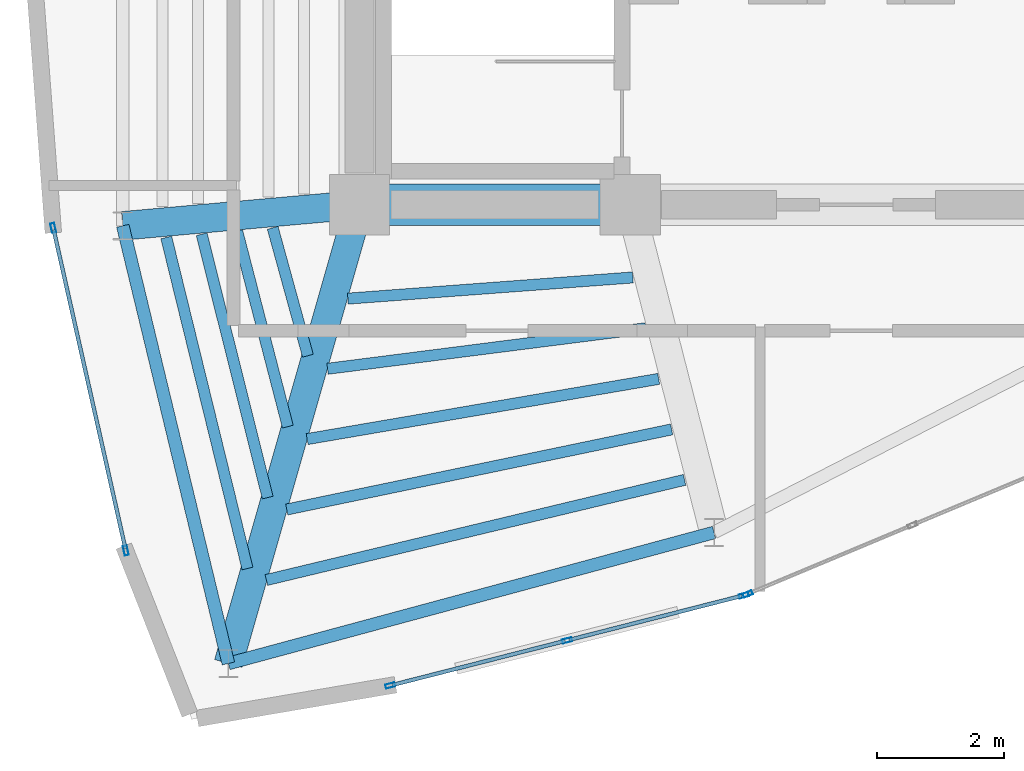
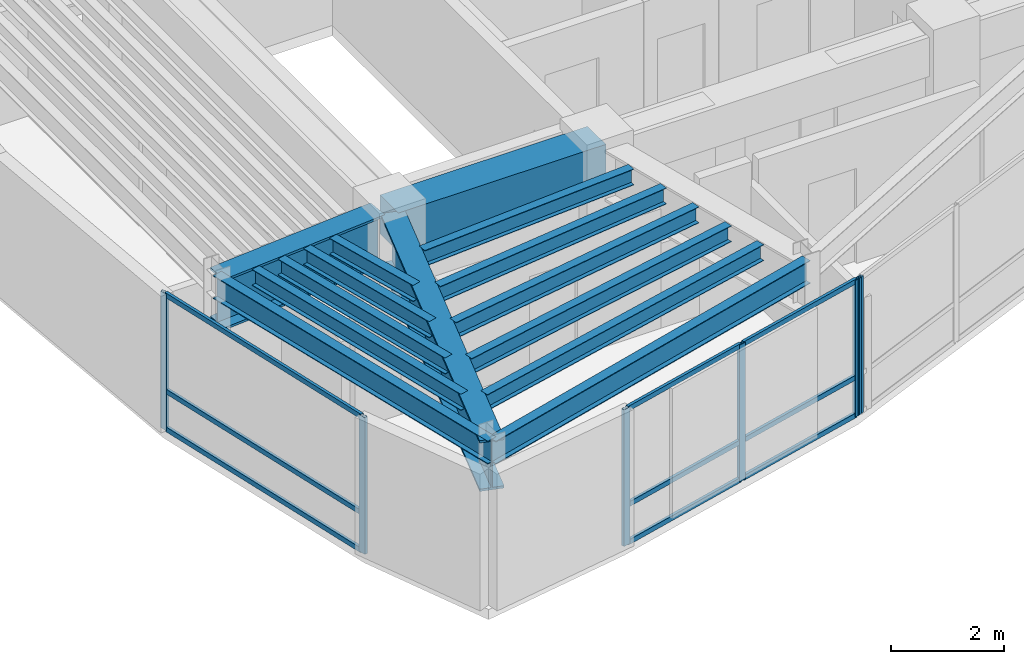
# One storey, part 2 of 13: 15 members, 14 beams, 3 elements without a shape of their own.
"""IFC4 building model written with IfcOpenShell, lengths in metres."""

from ifc_helpers import new_model, si_unit, direction, frame, origin, origin_2d, place, context, subcontext, project, spatial, rectangle, hollow_rectangle, i_section, extrude, material, layer, layer_set, material_profile, profile_set, type_object, element, aggregate, save


model = new_model("IFC4")

# Units and contexts
model_context = context("Model", 3, precision=1e-05, world=origin(), true_north=direction((0.0, 1.0)))
body_context = subcontext(model_context, "Body", "Model", "MODEL_VIEW")
ifc_project = project(units=[si_unit("LENGTHUNIT", "METRE"), si_unit("AREAUNIT", "SQUARE_METRE"), si_unit("VOLUMEUNIT", "CUBIC_METRE"), si_unit("PLANEANGLEUNIT", "RADIAN"), si_unit("MASSUNIT", "GRAM", prefix="KILO")], contexts=[model_context])

# Site, building, storey
site_placement = place(None, origin())
site = spatial("IfcSite", under=ifc_project, at=site_placement, CompositionType="ELEMENT")
building_placement = place(site_placement, origin())
building = spatial("IfcBuilding", under=site, at=building_placement, Name="Menara Vayukalpa", CompositionType="ELEMENT")
storey_placement = place(building_placement, frame((0.0, 0.0, 315.219970703125)))
storey = spatial("IfcBuildingStorey", under=building, at=storey_placement, Name="L81", CompositionType="ELEMENT", Elevation=315.219970703125)

# Beams
ifc_material_1 = material(Name="Concrete C60/75", Category="concrete")
ifc_material_profile_1 = material_profile(ifc_material_1, rectangle(XDim=0.64990234375, YDim=0.85009765625, at=origin_2d()), Name="RC 650x850")
ifc_profile_set_1 = profile_set([ifc_material_profile_1], Name="Concrete C60/75")
beam_type_1 = type_object("IfcBeamType", Name="BM-CB1", PredefinedType="BEAM", material=ifc_profile_set_1)
beam_1_placement = place(storey_placement, frame((17.800048828125, 17.199951171875, 2.534912109375), z_axis=(1.0, 0.0, 0.0), x_axis=(0.0, 1.0, 0.0)))
element("IfcBeam", 1, at=beam_1_placement, inside=storey, type_object=beam_type_1, Name="L81 Core Tie Beam CBR1", PredefinedType="BEAM", context=body_context, shape_type="SweptSolid", body=[
    extrude(rectangle(XDim=0.64990234375, YDim=0.85009765625, at=origin_2d()), origin(), (0.0, 0.0, 1.0), 4.25),
])
ifc_material_2 = material(Name="Steel S460", Category="steel")
ifc_material_profile_2 = material_profile(ifc_material_2, i_section(OverallWidth=0.449951171875, OverallDepth=1.10009765625, WebThickness=0.02490234375, FlangeThickness=0.050048828125, at=origin_2d()), Name="WG 1100x450x25x50")
ifc_profile_set_2 = profile_set([ifc_material_profile_2], Name="Steel S460")
beam_type_2 = type_object("IfcBeamType", Name="BM-MTG1", PredefinedType="BEAM", material=ifc_profile_set_2)
beam_2_placement = place(storey_placement, frame((17.551025390625, 17.177734375, 2.409912109375), z_axis=(-0.996018615253, -0.089145488221, 0.0), x_axis=(0.089145488221, -0.996018615253, 0.0)))
element("IfcBeam", 2, at=beam_2_placement, inside=storey, type_object=beam_type_2, Name="L81 Primary Radial Girder RG06", PredefinedType="BEAM", context=body_context, shape_type="SweptSolid", body=[
    extrude(i_section(OverallWidth=0.449951171875, OverallDepth=1.10009765625, WebThickness=0.02490234375, FlangeThickness=0.050048828125, at=origin_2d()), origin(), (0.0, 0.0, 1.0), 3.483642578125),
])
beam_3_placement = place(storey_placement, frame((17.731201171875, 16.959716796875, 2.409912109375), z_axis=(-0.274721127897, -0.961523947641, 0.0), x_axis=(0.961523947641, -0.274721127897, 0.0)))
element("IfcBeam", 3, at=beam_3_placement, inside=storey, type_object=beam_type_2, Name="L81 Primary Radial Girder RG07", PredefinedType="BEAM", context=body_context, shape_type="SweptSolid", body=[
    extrude(i_section(OverallWidth=0.449951171875, OverallDepth=1.10009765625, WebThickness=0.02490234375, FlangeThickness=0.050048828125, at=origin_2d()), origin(), (0.0, 0.0, 1.0), 7.246337890625),
])
ifc_material_3 = material(Name="Steel S355", Category="steel")
ifc_material_profile_3 = material_profile(ifc_material_3, i_section(OverallWidth=0.175048828125, OverallDepth=0.35009765625, WebThickness=0.007080078125, FlangeThickness=0.010986328125, at=origin_2d()), Name="WF 350x175x7x11")
ifc_profile_set_3 = profile_set([ifc_material_profile_3], Name="Steel S355")
beam_type_3 = type_object("IfcBeamType", Name="BM-SJ3", PredefinedType="JOIST", material=ifc_profile_set_3)
beam_4_placement = place(storey_placement, frame((16.436279296875, 16.8359375, 2.784912109375), z_axis=(0.265485960503, -0.964114725941, 0.0), x_axis=(0.964114725941, 0.265485960503, 0.0)))
element("IfcBeam", 4, at=beam_4_placement, inside=storey, type_object=beam_type_3, Name="L81 Secondary Floor Joist SJ06-2", PredefinedType="JOIST", context=body_context, shape_type="SweptSolid", body=[
    extrude(i_section(OverallWidth=0.175048828125, OverallDepth=0.35009765625, WebThickness=0.007080078125, FlangeThickness=0.010986328125, at=origin_2d()), origin(), (0.0, 0.0, 1.0), 2.083740234375),
])
beam_5_placement = place(storey_placement, frame((15.877685546875, 16.785400390625, 2.784912109375), z_axis=(0.250996862559, -0.967987900227, 0.0), x_axis=(0.967987900227, 0.250996862559, 0.0)))
element("IfcBeam", 5, at=beam_5_placement, inside=storey, type_object=beam_type_3, Name="L81 Secondary Floor Joist SJ06-3", PredefinedType="JOIST", context=body_context, shape_type="SweptSolid", body=[
    extrude(i_section(OverallWidth=0.175048828125, OverallDepth=0.35009765625, WebThickness=0.007080078125, FlangeThickness=0.010986328125, at=origin_2d()), origin(), (0.0, 0.0, 1.0), 3.173828125),
])
beam_6_placement = place(storey_placement, frame((15.32080078125, 16.735107421875, 2.784912109375), z_axis=(0.243209126808, -0.969973876265, 0.0), x_axis=(0.969973876265, 0.243209126808, 0.0)))
element("IfcBeam", 6, at=beam_6_placement, inside=storey, type_object=beam_type_3, Name="L81 Secondary Floor Joist SJ06-4", PredefinedType="JOIST", context=body_context, shape_type="SweptSolid", body=[
    extrude(i_section(OverallWidth=0.175048828125, OverallDepth=0.35009765625, WebThickness=0.007080078125, FlangeThickness=0.010986328125, at=origin_2d()), origin(), (0.0, 0.0, 1.0), 4.26416015625),
])
beam_7_placement = place(storey_placement, frame((14.764404296875, 16.68505859375, 2.784912109375), z_axis=(0.238306723875, -0.971189942985, 0.0), x_axis=(0.971189942985, 0.238306723875, 0.0)))
element("IfcBeam", 7, at=beam_7_placement, inside=storey, type_object=beam_type_3, Name="L81 Secondary Floor Joist SJ06-5", PredefinedType="JOIST", context=body_context, shape_type="SweptSolid", body=[
    extrude(i_section(OverallWidth=0.175048828125, OverallDepth=0.35009765625, WebThickness=0.007080078125, FlangeThickness=0.010986328125, at=origin_2d()), origin(), (0.0, 0.0, 1.0), 5.35498046875),
])
beam_8_placement = place(storey_placement, frame((17.6171875, 15.7236328125, 2.784912109375), z_axis=(0.997249175421, 0.074122075804, 0.0), x_axis=(-0.074122075804, 0.997249175421, 0.0)))
element("IfcBeam", 8, at=beam_8_placement, inside=storey, type_object=beam_type_3, Name="L81 Secondary Floor Joist SJ07-1", PredefinedType="JOIST", context=body_context, shape_type="SweptSolid", body=[
    extrude(i_section(OverallWidth=0.175048828125, OverallDepth=0.35009765625, WebThickness=0.007080078125, FlangeThickness=0.010986328125, at=origin_2d()), origin(), (0.0, 0.0, 1.0), 4.489501953125),
])
beam_9_placement = place(storey_placement, frame((17.297607421875, 14.62158203125, 2.784912109375), z_axis=(0.991987539287, 0.126335750682, 0.0), x_axis=(-0.126335750682, 0.991987539287, 0.0)))
element("IfcBeam", 9, at=beam_9_placement, inside=storey, type_object=beam_type_3, Name="L81 Secondary Floor Joist SJ07-2", PredefinedType="JOIST", context=body_context, shape_type="SweptSolid", body=[
    extrude(i_section(OverallWidth=0.175048828125, OverallDepth=0.35009765625, WebThickness=0.007080078125, FlangeThickness=0.010986328125, at=origin_2d()), origin(), (0.0, 0.0, 1.0), 5.039794921875),
])
beam_10_placement = place(storey_placement, frame((16.977294921875, 13.517333984375, 2.784912109375), z_axis=(0.985657685594, 0.168757005274, 0.0), x_axis=(-0.168757005274, 0.985657685594, 0.0)))
element("IfcBeam", 10, at=beam_10_placement, inside=storey, type_object=beam_type_3, Name="L81 Secondary Floor Joist SJ07-3", PredefinedType="JOIST", context=body_context, shape_type="SweptSolid", body=[
    extrude(i_section(OverallWidth=0.175048828125, OverallDepth=0.35009765625, WebThickness=0.007080078125, FlangeThickness=0.010986328125, at=origin_2d()), origin(), (0.0, 0.0, 1.0), 5.60302734375),
])
beam_11_placement = place(storey_placement, frame((16.6572265625, 12.4111328125, 2.784912109375), z_axis=(0.979027428924, 0.203728479637, 0.0), x_axis=(-0.203728479637, 0.979027428924, 0.0)))
element("IfcBeam", 11, at=beam_11_placement, inside=storey, type_object=beam_type_3, Name="L81 Secondary Floor Joist SJ07-4", PredefinedType="JOIST", context=body_context, shape_type="SweptSolid", body=[
    extrude(i_section(OverallWidth=0.175048828125, OverallDepth=0.35009765625, WebThickness=0.007080078125, FlangeThickness=0.010986328125, at=origin_2d()), origin(), (0.0, 0.0, 1.0), 6.175048828125),
])
beam_12_placement = place(storey_placement, frame((16.337158203125, 11.303466796875, 2.784912109375), z_axis=(0.972497430752, 0.232913604541, 0.0), x_axis=(-0.232913604541, 0.972497430752, 0.0)))
element("IfcBeam", 12, at=beam_12_placement, inside=storey, type_object=beam_type_3, Name="L81 Secondary Floor Joist SJ07-5", PredefinedType="JOIST", context=body_context, shape_type="SweptSolid", body=[
    extrude(i_section(OverallWidth=0.175048828125, OverallDepth=0.35009765625, WebThickness=0.007080078125, FlangeThickness=0.010986328125, at=origin_2d()), origin(), (0.0, 0.0, 1.0), 6.754638671875),
])
ifc_material_4 = material(Name="Steel S355", Category="steel")
ifc_material_profile_4 = material_profile(ifc_material_4, i_section(OverallWidth=0.199951171875, OverallDepth=0.5, WebThickness=0.010009765625, FlangeThickness=0.01611328125, at=origin_2d()), Name="WF 500x200x10x16")
ifc_profile_set_4 = profile_set([ifc_material_profile_4], Name="Steel S355")
beam_type_4 = type_object("IfcBeamType", Name="BM-SP3", PredefinedType="SPANDREL", material=ifc_profile_set_4)
beam_13_placement = place(storey_placement, frame((14.081298828125, 16.8671875, 2.7099609375), z_axis=(0.234600039411, -0.97209198202, 0.0), x_axis=(0.97209198202, 0.234600039411, 0.0)))
element("IfcBeam", 13, at=beam_13_placement, inside=storey, type_object=beam_type_4, Name="L81 Perimeter Spandrel Beam SP06", PredefinedType="SPANDREL", context=body_context, shape_type="SweptSolid", body=[
    extrude(i_section(OverallWidth=0.199951171875, OverallDepth=0.5, WebThickness=0.010009765625, FlangeThickness=0.01611328125, at=origin_2d()), origin(), (0.0, 0.0, 1.0), 7.072265625),
])
beam_14_placement = place(storey_placement, frame((15.740478515625, 9.9921875, 2.7099609375), z_axis=(0.965485889412, 0.260455365361, 0.0), x_axis=(-0.260455365361, 0.965485889412, 0.0)))
element("IfcBeam", 14, at=beam_14_placement, inside=storey, type_object=beam_type_4, Name="L81 Perimeter Spandrel Beam SP07", PredefinedType="SPANDREL", context=body_context, shape_type="SweptSolid", body=[
    extrude(i_section(OverallWidth=0.199951171875, OverallDepth=0.5, WebThickness=0.010009765625, FlangeThickness=0.01611328125, at=origin_2d()), origin(), (0.0, 0.0, 1.0), 7.90283203125),
])

# Curtain wall, members
ifc_material_5 = material(Name="Anodised Terracotta Aluminium Alloy 6063-T6", Category="masonry")
ifc_layer = layer(ifc_material_5, 0.14990234375)
ifc_layer_set = layer_set([ifc_layer], Name="Anodised Terracotta Aluminium Alloy 6063-T6")
curtain_wall_type = type_object("IfcCurtainWallType", Name="CW-CW7", PredefinedType="USERDEFINED", material=ifc_layer_set)
curtain_wall_1_placement = place(storey_placement, origin())
curtain_wall_1 = element("IfcCurtainWall", 15, at=curtain_wall_1_placement, inside=storey, type_object=curtain_wall_type, Name="L81 Crown Drum Screened Curtain Wall CW7 12", ObjectType="UNITISED", PredefinedType="USERDEFINED")
ifc_material_6 = material(Name="Anodised Terracotta Aluminium Alloy 6063-T6", Category="masonry")
ifc_material_profile_5 = material_profile(ifc_material_6, hollow_rectangle(XDim=0.06494140625, YDim=0.14990234375, WallThickness=0.00341796875, at=origin_2d()), Name="ALU 65x150x3.5")
ifc_profile_set_5 = profile_set([ifc_material_profile_5], Name="Anodised Terracotta Aluminium Alloy 6063-T6")
member_type_1 = type_object("IfcMemberType", Name="CWM-CW7", PredefinedType="MULLION", material=ifc_profile_set_5)
member_1_placement = place(storey_placement, frame((12.988525390625, 16.83544921875, 0.0), z_axis=(0.0, 0.0, 1.0), x_axis=(0.975608941973, 0.219515813421, 0.0)))
member_1 = element("IfcMember", 16, at=member_1_placement, type_object=member_type_1, Name="CW7 mullion 1", PredefinedType="MULLION", context=body_context, shape_type="SweptSolid", body=[
    extrude(hollow_rectangle(XDim=0.06494140625, YDim=0.14990234375, WallThickness=0.00341796875, at=origin_2d()), origin(), (0.0, 0.0, 1.0), 2.9599609375),
])
member_2_placement = place(storey_placement, frame((14.129150390625, 11.76611328125, 0.0), z_axis=(0.0, 0.0, 1.0), x_axis=(0.975608941973, 0.219515813421, 0.0)))
member_2 = element("IfcMember", 17, at=member_2_placement, type_object=member_type_1, Name="CW7 mullion 2", PredefinedType="MULLION", context=body_context, shape_type="SweptSolid", body=[
    extrude(hollow_rectangle(XDim=0.06494140625, YDim=0.14990234375, WallThickness=0.00341796875, at=origin_2d()), origin(), (0.0, 0.0, 1.0), 2.9599609375),
])

curtain_wall_2_placement = place(storey_placement, origin())
curtain_wall_2 = element("IfcCurtainWall", 18, at=curtain_wall_2_placement, inside=storey, type_object=curtain_wall_type, Name="L81 Crown Drum Screened Curtain Wall CW7 15", ObjectType="UNITISED", PredefinedType="USERDEFINED")
member_3_placement = place(storey_placement, frame((18.284423828125, 9.64599609375, 0.0), z_axis=(0.0, 0.0, 1.0), x_axis=(-0.247123764219, 0.968983924097, 0.0)))
member_3 = element("IfcMember", 19, at=member_3_placement, type_object=member_type_1, Name="CW7 mullion 1", PredefinedType="MULLION", context=body_context, shape_type="SweptSolid", body=[
    extrude(hollow_rectangle(XDim=0.06494140625, YDim=0.14990234375, WallThickness=0.00341796875, at=origin_2d()), origin(), (0.0, 0.0, 1.0), 2.9599609375),
])
member_4_placement = place(storey_placement, frame((21.0615234375, 10.354248046875, 0.0), z_axis=(0.0, 0.0, 1.0), x_axis=(-0.247123764219, 0.968983924097, 0.0)))
member_4 = element("IfcMember", 20, at=member_4_placement, type_object=member_type_1, Name="CW7 mullion 2", PredefinedType="MULLION", context=body_context, shape_type="SweptSolid", body=[
    extrude(hollow_rectangle(XDim=0.06494140625, YDim=0.14990234375, WallThickness=0.00341796875, at=origin_2d()), origin(), (0.0, 0.0, 1.0), 2.9599609375),
])
member_5_placement = place(storey_placement, frame((23.83837890625, 11.062255859375, 0.0), z_axis=(0.0, 0.0, 1.0), x_axis=(-0.247123764219, 0.968983924097, 0.0)))
member_5 = element("IfcMember", 21, at=member_5_placement, type_object=member_type_1, Name="CW7 mullion 3", PredefinedType="MULLION", context=body_context, shape_type="SweptSolid", body=[
    extrude(hollow_rectangle(XDim=0.06494140625, YDim=0.14990234375, WallThickness=0.00341796875, at=origin_2d()), origin(), (0.0, 0.0, 1.0), 2.9599609375),
])

# Curtain wall, member
curtain_wall_3_placement = place(storey_placement, origin())
curtain_wall_3 = element("IfcCurtainWall", 22, at=curtain_wall_3_placement, inside=storey, type_object=curtain_wall_type, Name="L81 Crown Drum Screened Curtain Wall CW7 16", ObjectType="UNITISED", PredefinedType="USERDEFINED")
member_6_placement = place(storey_placement, frame((23.89990234375, 11.0830078125, 0.0), z_axis=(0.0, 0.0, 1.0), x_axis=(-0.385898361946, 0.922541302191, 0.0)))
member_6 = element("IfcMember", 23, at=member_6_placement, type_object=member_type_1, Name="CW7 mullion 1", PredefinedType="MULLION", context=body_context, shape_type="SweptSolid", body=[
    extrude(hollow_rectangle(XDim=0.06494140625, YDim=0.14990234375, WallThickness=0.00341796875, at=origin_2d()), origin(), (0.0, 0.0, 1.0), 2.9599609375),
])
aggregate(curtain_wall_3, [member_6])

# Member
ifc_material_7 = material(Name="Anodised Terracotta Aluminium Alloy 6063-T6", Category="masonry")
ifc_material_profile_6 = material_profile(ifc_material_7, hollow_rectangle(XDim=0.06005859375, YDim=0.10498046875, WallThickness=0.0029296875, at=origin_2d()), Name="ALU 60x105x3")
ifc_profile_set_6 = profile_set([ifc_material_profile_6], Name="Anodised Terracotta Aluminium Alloy 6063-T6")
member_type_2 = type_object("IfcMemberType", Name="CWT-CW7", PredefinedType="USERDEFINED", material=ifc_profile_set_6)
member_7_placement = place(storey_placement, frame((12.99560546875, 16.8037109375, 0.030029296875), z_axis=(0.219539368084, -0.975603641784, 0.0), x_axis=(0.975603641784, 0.219539368084, 0.0)))
member_7 = element("IfcMember", 24, at=member_7_placement, type_object=member_type_2, Name="CW7 transom 1.1", ObjectType="TRANSOM", PredefinedType="USERDEFINED", context=body_context, shape_type="SweptSolid", body=[
    extrude(hollow_rectangle(XDim=0.06005859375, YDim=0.10498046875, WallThickness=0.0029296875, at=origin_2d()), origin(), (0.0, 0.0, 1.0), 5.131103515625),
])

member_8_placement = place(storey_placement, frame((12.99560546875, 16.8037109375, 0.85009765625), z_axis=(0.219539368084, -0.975603641784, 0.0), x_axis=(0.975603641784, 0.219539368084, 0.0)))
member_8 = element("IfcMember", 25, at=member_8_placement, type_object=member_type_2, Name="CW7 transom 1.2", ObjectType="TRANSOM", PredefinedType="USERDEFINED", context=body_context, shape_type="SweptSolid", body=[
    extrude(hollow_rectangle(XDim=0.06005859375, YDim=0.10498046875, WallThickness=0.0029296875, at=origin_2d()), origin(), (0.0, 0.0, 1.0), 5.131103515625),
])

member_9_placement = place(storey_placement, frame((12.99560546875, 16.8037109375, 2.929931640625), z_axis=(0.219539368084, -0.975603641784, 0.0), x_axis=(0.975603641784, 0.219539368084, 0.0)))
member_9 = element("IfcMember", 26, at=member_9_placement, type_object=member_type_2, Name="CW7 transom 1.3", ObjectType="TRANSOM", PredefinedType="USERDEFINED", context=body_context, shape_type="SweptSolid", body=[
    extrude(hollow_rectangle(XDim=0.06005859375, YDim=0.10498046875, WallThickness=0.0029296875, at=origin_2d()), origin(), (0.0, 0.0, 1.0), 5.131103515625),
])

aggregate(curtain_wall_1, [member_1, member_2, member_7, member_8, member_9])

member_10_placement = place(storey_placement, frame((18.31591796875, 9.654052734375, 0.030029296875), z_axis=(0.968988349591, 0.247106411, 0.0), x_axis=(-0.247106411, 0.968988349591, 0.0)))
member_10 = element("IfcMember", 27, at=member_10_placement, type_object=member_type_2, Name="CW7 transom 1.1", ObjectType="TRANSOM", PredefinedType="USERDEFINED", context=body_context, shape_type="SweptSolid", body=[
    extrude(hollow_rectangle(XDim=0.06005859375, YDim=0.10498046875, WallThickness=0.0029296875, at=origin_2d()), origin(), (0.0, 0.0, 1.0), 2.801025390625),
])

member_11_placement = place(storey_placement, frame((18.31591796875, 9.654052734375, 0.85009765625), z_axis=(0.968988349591, 0.247106411, 0.0), x_axis=(-0.247106411, 0.968988349591, 0.0)))
member_11 = element("IfcMember", 28, at=member_11_placement, type_object=member_type_2, Name="CW7 transom 1.2", ObjectType="TRANSOM", PredefinedType="USERDEFINED", context=body_context, shape_type="SweptSolid", body=[
    extrude(hollow_rectangle(XDim=0.06005859375, YDim=0.10498046875, WallThickness=0.0029296875, at=origin_2d()), origin(), (0.0, 0.0, 1.0), 2.801025390625),
])

member_12_placement = place(storey_placement, frame((18.31591796875, 9.654052734375, 2.929931640625), z_axis=(0.968988349591, 0.247106411, 0.0), x_axis=(-0.247106411, 0.968988349591, 0.0)))
member_12 = element("IfcMember", 29, at=member_12_placement, type_object=member_type_2, Name="CW7 transom 1.3", ObjectType="TRANSOM", PredefinedType="USERDEFINED", context=body_context, shape_type="SweptSolid", body=[
    extrude(hollow_rectangle(XDim=0.06005859375, YDim=0.10498046875, WallThickness=0.0029296875, at=origin_2d()), origin(), (0.0, 0.0, 1.0), 2.801025390625),
])

member_13_placement = place(storey_placement, frame((21.093017578125, 10.362060546875, 0.030029296875), z_axis=(0.968962149671, 0.247209127066, 0.0), x_axis=(-0.247209127066, 0.968962149671, 0.0)))
member_13 = element("IfcMember", 30, at=member_13_placement, type_object=member_type_2, Name="CW7 transom 2.1", ObjectType="TRANSOM", PredefinedType="USERDEFINED", context=body_context, shape_type="SweptSolid", body=[
    extrude(hollow_rectangle(XDim=0.06005859375, YDim=0.10498046875, WallThickness=0.0029296875, at=origin_2d()), origin(), (0.0, 0.0, 1.0), 2.80078125),
])

member_14_placement = place(storey_placement, frame((21.093017578125, 10.362060546875, 0.85009765625), z_axis=(0.968962149671, 0.247209127066, 0.0), x_axis=(-0.247209127066, 0.968962149671, 0.0)))
member_14 = element("IfcMember", 31, at=member_14_placement, type_object=member_type_2, Name="CW7 transom 2.2", ObjectType="TRANSOM", PredefinedType="USERDEFINED", context=body_context, shape_type="SweptSolid", body=[
    extrude(hollow_rectangle(XDim=0.06005859375, YDim=0.10498046875, WallThickness=0.0029296875, at=origin_2d()), origin(), (0.0, 0.0, 1.0), 2.80078125),
])

member_15_placement = place(storey_placement, frame((21.093017578125, 10.362060546875, 2.929931640625), z_axis=(0.968962149671, 0.247209127066, 0.0), x_axis=(-0.247209127066, 0.968962149671, 0.0)))
member_15 = element("IfcMember", 32, at=member_15_placement, type_object=member_type_2, Name="CW7 transom 2.3", ObjectType="TRANSOM", PredefinedType="USERDEFINED", context=body_context, shape_type="SweptSolid", body=[
    extrude(hollow_rectangle(XDim=0.06005859375, YDim=0.10498046875, WallThickness=0.0029296875, at=origin_2d()), origin(), (0.0, 0.0, 1.0), 2.80078125),
])

aggregate(curtain_wall_2, [member_3, member_4, member_5, member_10, member_11, member_12, member_13, member_14, member_15])

save(model, "model.ifc")
